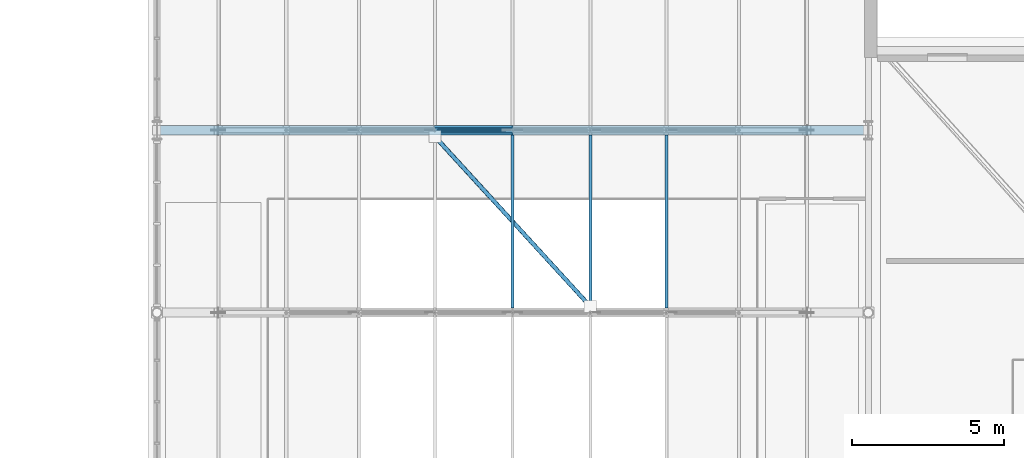
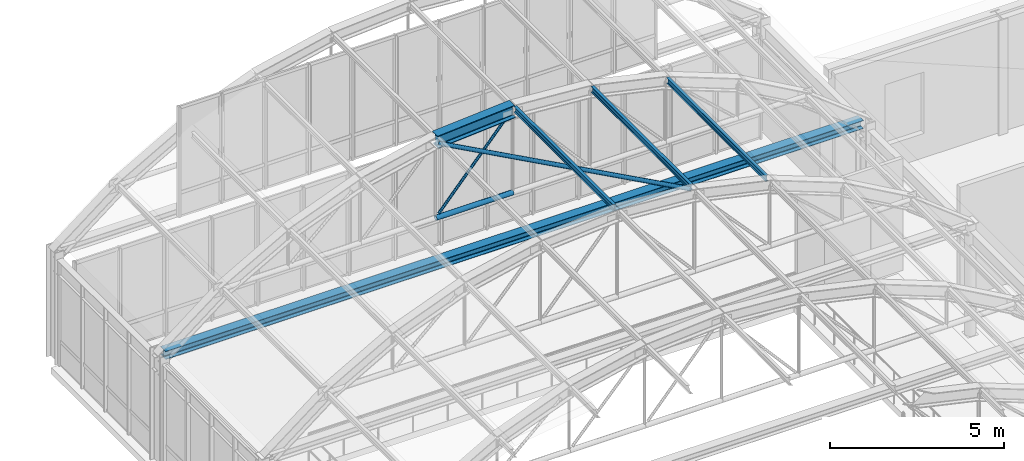
# One storey, part 77 of 148: 5 beams, 3 members.
"""IFC4 building model written with IfcOpenShell, lengths in metres."""

from ifc_helpers import new_model, si_unit, direction, frame, origin, origin_2d, place, context, subcontext, project, spatial, hollow_circle, i_section, extrude, material, material_profile, profile_set, type_object, element, save


model = new_model("IFC4")

# Units and contexts
model_context = context("Model", 3, precision=1e-05, world=origin(), true_north=direction((0.0, 1.0)))
body_context = subcontext(model_context, "Body", "Model", "MODEL_VIEW")
ifc_project = project(units=[si_unit("LENGTHUNIT", "METRE"), si_unit("AREAUNIT", "SQUARE_METRE"), si_unit("VOLUMEUNIT", "CUBIC_METRE"), si_unit("PLANEANGLEUNIT", "RADIAN"), si_unit("MASSUNIT", "GRAM", prefix="KILO"), si_unit("THERMODYNAMICTEMPERATUREUNIT", "KELVIN"), si_unit("POWERUNIT", "WATT")], contexts=[model_context])

# Site, building, storey
site_placement = place(None, origin())
site = spatial("IfcSite", under=ifc_project, at=site_placement, CompositionType="ELEMENT")
building_placement = place(site_placement, origin())
building = spatial("IfcBuilding", under=site, at=building_placement, Name="Solvatero Civic Police Headquarters", CompositionType="ELEMENT")
storey_placement = place(building_placement, frame((0.0, 0.0, 5.10009765625)))
storey = spatial("IfcBuildingStorey", under=building, at=storey_placement, Name="L01", CompositionType="ELEMENT", Elevation=5.10009765625)

# Beams
ifc_material = material(Name="Steel S355", Category="steel")
ifc_material_profile_1 = material_profile(ifc_material, i_section(OverallWidth=0.300048828125, OverallDepth=0.2900390625, WebThickness=0.008544921875, FlangeThickness=0.013916015625, FilletRadius=0.027099609375, at=origin_2d()), Name="HEA 300")
ifc_profile_set_1 = profile_set([ifc_material_profile_1], Name="Steel S355")
beam_type_1 = type_object("IfcBeamType", Name="BM-ST-HEA300", PredefinedType="SPANDREL", material=ifc_profile_set_1)
beam_1_placement = place(storey_placement, frame((98.919921875, 40.800048828125, 3.81884765625), z_axis=(1.0, 0.0, 0.0), x_axis=(0.0, 1.0, 0.0)))
element("IfcBeam", 1, at=beam_1_placement, inside=storey, type_object=beam_type_1, Name="VLT1 Barrel Vault Springing Tie Beam F7", PredefinedType="SPANDREL", context=body_context, shape_type="SweptSolid", body=[
    extrude(i_section(OverallWidth=0.300048828125, OverallDepth=0.2900390625, WebThickness=0.008544921875, FlangeThickness=0.013916015625, FilletRadius=0.027099609375, at=origin_2d()), origin(), (0.0, 0.0, 1.0), 23.1201171875),
])
ifc_material_profile_2 = material_profile(ifc_material, i_section(OverallWidth=0.300048828125, OverallDepth=0.449951171875, WebThickness=0.013916015625, FlangeThickness=0.02587890625, FilletRadius=0.027099609375, at=origin_2d()), Name="HEB 450")
ifc_profile_set_2 = profile_set([ifc_material_profile_2], Name="Steel S355")
beam_type_2 = type_object("IfcBeamType", Name="BM-ST-HEB450", PredefinedType="BEAM", material=ifc_profile_set_2)
beam_2_placement = place(storey_placement, frame((107.94482421875, 40.800048828125, 8.1259765625), z_axis=(0.997304549883, 0.0, 0.073373256584), x_axis=(0.0, 1.0, 0.0)))
element("IfcBeam", 2, at=beam_2_placement, inside=storey, type_object=beam_type_2, Name="VLT1 Tied-Arch Vault Top Chord F7.5", PredefinedType="BEAM", context=body_context, shape_type="SweptSolid", body=[
    extrude(i_section(OverallWidth=0.300048828125, OverallDepth=0.449951171875, WebThickness=0.013916015625, FlangeThickness=0.02587890625, FilletRadius=0.027099609375, at=origin_2d()), origin(), (0.0, 0.0, 1.0), 2.56201171875),
])
ifc_material_profile_3 = material_profile(ifc_material, i_section(OverallWidth=0.10009765625, OverallDepth=0.199951171875, WebThickness=0.005615234375, FlangeThickness=0.008544921875, FilletRadius=0.011962890625, at=origin_2d()), Name="IPE 200")
ifc_profile_set_3 = profile_set([ifc_material_profile_3], Name="Steel S355")
beam_type_3 = type_object("IfcBeamType", Name="BM-ST-IPE200", PredefinedType="JOIST", material=ifc_profile_set_3)
for number, where, z_axis, x_axis, name in (
    (3, (110.5, 34.9580078125, 8.41455078125), (0.0, 1.0, 0.0), (-1.0, 0.0, 0.0), "VLT1 Vault Roof Purlin B6.5"),
    (4, (113.05517578125, 34.9580078125, 8.222900390625), (0.0, 1.0, 0.0), (-1.0, 0.0, 0.0), "VLT1 Vault Roof Purlin B6.6"),
    (5, (115.55517578125, 34.9580078125, 7.65576171875), (0.0, 1.0, 0.0), (-1.0, 0.0, 0.0), "VLT1 Vault Roof Purlin B6.7"),
):
    element("IfcBeam", number, at=place(storey_placement, frame(where, z_axis=z_axis, x_axis=x_axis)), inside=storey, type_object=beam_type_3, Name=name, PredefinedType="JOIST", context=body_context, shape_type="SweptSolid", body=[
        extrude(i_section(OverallWidth=0.10009765625, OverallDepth=0.199951171875, WebThickness=0.005615234375, FlangeThickness=0.008544921875, FilletRadius=0.011962890625, at=origin_2d()), origin(), (0.0, 0.0, 1.0), 5.68408203125),
    ])

# Members
ifc_material_profile_4 = material_profile(ifc_material, hollow_circle(Radius=0.06982421875, WallThickness=0.008056640625, at=origin_2d()), Name="CHS 139.7x8.0")
ifc_profile_set_4 = profile_set([ifc_material_profile_4], Name="Steel S355")
member_type_1 = type_object("IfcMemberType", Name="MB-BR-CHS140", PredefinedType="BRACE", material=ifc_profile_set_4)
member_1_placement = place(storey_placement, frame((113.05517578125, 35.008056640625, 8.130859375), z_axis=(-0.675128510654, 0.737700138337, 0.0), x_axis=(-0.737700138337, -0.675128510654, 0.0)))
element("IfcMember", 6, at=member_1_placement, inside=storey, type_object=member_type_1, Name="VLT1 Vault Single Diagonal Wind Brace B6", PredefinedType="BRACE", context=body_context, shape_type="SweptSolid", body=[
    extrude(hollow_circle(Radius=0.06982421875, WallThickness=0.008056640625, at=origin_2d()), origin(), (0.0, 0.0, 1.0), 7.5693359375),
])
ifc_material_profile_5 = material_profile(ifc_material, hollow_circle(Radius=0.04443359375, WallThickness=0.00634765625, at=origin_2d()), Name="CHS 88.9x6.3")
ifc_profile_set_5 = profile_set([ifc_material_profile_5], Name="Steel S355")
member_type_2 = type_object("IfcMemberType", Name="MB-HNG-CHS89", PredefinedType="STRUT", material=ifc_profile_set_5)
member_2_placement = place(storey_placement, frame((108.050048828125, 40.800048828125, 5.51220703125), z_axis=(0.657605371239, 0.0, 0.753362579186), x_axis=(0.0, 1.0, 0.0)))
element("IfcMember", 7, at=member_2_placement, inside=storey, type_object=member_type_2, Name="VLT1 Vault Truss Diagonal Web F7.4", PredefinedType="STRUT", context=body_context, shape_type="SweptSolid", body=[
    extrude(hollow_circle(Radius=0.04443359375, WallThickness=0.00634765625, at=origin_2d()), origin(), (0.0, 0.0, 1.0), 3.365478515625),
])
ifc_material_profile_6 = material_profile(ifc_material, hollow_circle(Radius=0.084228515625, WallThickness=0.010009765625, at=origin_2d()), Name="CHS 168.3x10.0")
ifc_profile_set_6 = profile_set([ifc_material_profile_6], Name="Steel S355")
member_type_3 = type_object("IfcMemberType", Name="MB-TIE-CHS168", PredefinedType="CHORD", material=ifc_profile_set_6)
member_3_placement = place(storey_placement, frame((107.94482421875, 40.800048828125, 5.3916015625), z_axis=(1.0, 0.0, 0.0), x_axis=(0.0, 1.0, 0.0)))
element("IfcMember", 8, at=member_3_placement, inside=storey, type_object=member_type_3, Name="VLT1 Vault Horizontal Tie Chord F7.4", PredefinedType="CHORD", context=body_context, shape_type="SweptSolid", body=[
    extrude(hollow_circle(Radius=0.084228515625, WallThickness=0.010009765625, at=origin_2d()), origin(), (0.0, 0.0, 1.0), 2.55517578125),
])

save(model, "model.ifc")
